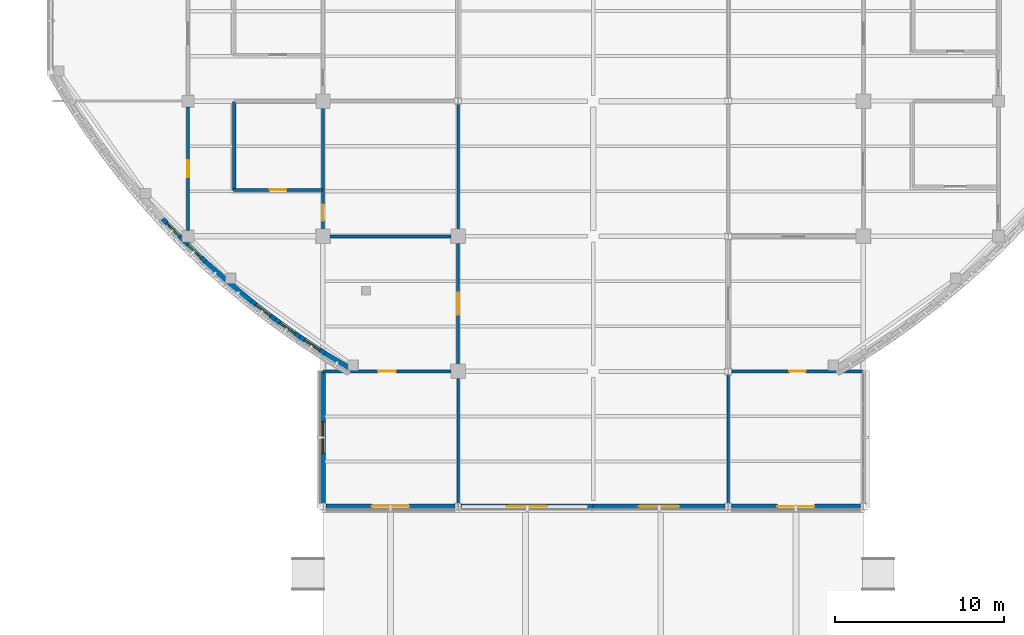
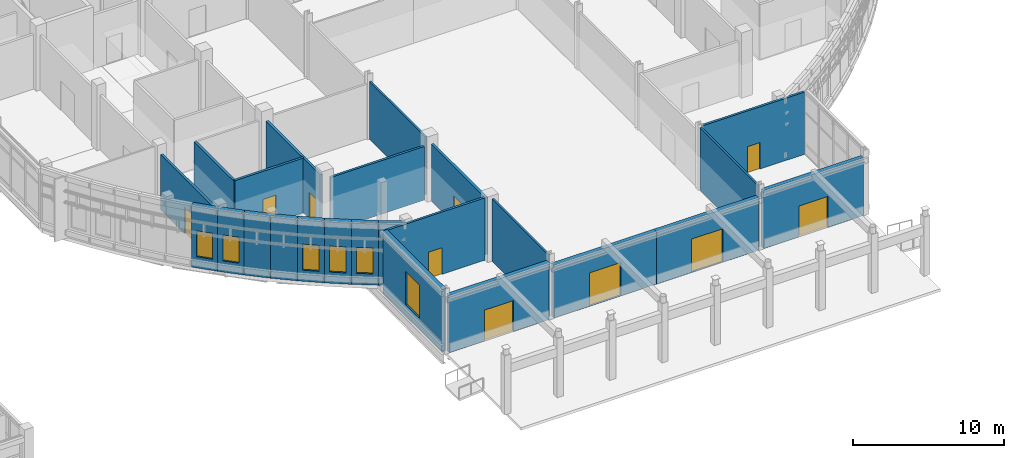
# One storey, part 63 of 105: 24 walls, 10 doors, 6 windows, 16 openings.
"""IFC4 building model written with IfcOpenShell, lengths in metres."""

from ifc_helpers import new_model, si_unit, derived_unit, direction, frame, frame_2d, origin, place, context, subcontext, project, spatial, rectangle, extrude, material, layer, layer_set, type_object, element, fill, save


model = new_model("IFC4")

# Units and contexts
model_context = context("Model", 3, precision=1e-05, world=origin(), true_north=direction((0.0, 1.0)))
body_context = subcontext(model_context, "Body", "Model", "MODEL_VIEW")
ifc_project = project(units=[si_unit("LENGTHUNIT", "METRE"), si_unit("AREAUNIT", "SQUARE_METRE"), si_unit("VOLUMEUNIT", "CUBIC_METRE"), si_unit("PLANEANGLEUNIT", "RADIAN"), si_unit("MASSUNIT", "GRAM", prefix="KILO"), derived_unit("THERMALTRANSMITTANCEUNIT", [(si_unit("MASSUNIT", "GRAM", prefix="KILO"), 1), (si_unit("TIMEUNIT", "SECOND"), -3), (si_unit("THERMODYNAMICTEMPERATUREUNIT", "KELVIN"), -1)])], contexts=[model_context])

# Site, building, storey
site_placement = place(None, origin())
site = spatial("IfcSite", under=ifc_project, at=site_placement, CompositionType="ELEMENT")
building_placement = place(site_placement, origin())
building = spatial("IfcBuilding", under=site, at=building_placement, Name="Veyamyaing Civic Hall", CompositionType="ELEMENT")
storey_placement = place(building_placement, origin())
storey = spatial("IfcBuildingStorey", under=building, at=storey_placement, Name="L00", CompositionType="ELEMENT", Elevation=0.0)

# Wall, opening, window
ifc_material_1 = material(Name="Precast concrete C40/50", Category="concrete")
ifc_layer_1 = layer(ifc_material_1, 0.304931640625, Name="Precast concrete C40/50")
ifc_layer_set_1 = layer_set([ifc_layer_1], Name="Precast concrete C40/50")
wall_type_1 = type_object("IfcWallType", Name="WT-03", PredefinedType="SOLIDWALL", material=ifc_layer_set_1)
wall_1_placement = place(storey_placement, frame((62.494384765625, 25.028564453125, 0.0), z_axis=(0.0, 0.0, 1.0), x_axis=(0.693722700342, -0.720242191926, 0.0)))
wall_1 = element("IfcWall", 1, at=wall_1_placement, inside=storey, type_object=wall_type_1, Name="Curved corner facade wall WT-03 L00 SW.7", PredefinedType="SOLIDWALL", context=body_context, shape_type="SweptSolid", body=[
    extrude(rectangle(XDim=1.795166015625, YDim=0.304931640625, at=frame_2d((0.8974609375, 0.0))), origin(), (0.0, 0.0, 1.0), 5.034912109375),
])
opening_1_placement = place(wall_1_placement, frame((0.347412109375, 0.0, 0.89990234375)))
opening_1 = element("IfcOpeningElement", 2, at=opening_1_placement, cuts=wall_1, Name="Opening W-15", PredefinedType="OPENING", context=body_context, shape_type="SweptSolid", body=[
    extrude(rectangle(XDim=1.10009765625, YDim=2.10009765625, at=frame_2d((0.550048828125, 1.050048828125))), frame((0.0, 0.162353515625, 0.0), z_axis=(0.0, -1.0, 0.0), x_axis=(1.0, 0.0, 0.0)), (0.0, 0.0, 1.0), 0.324951171875),
])
ifc_material_2 = material(Name="Low-E insulated glass", Category="glass")
window_type_1 = type_object("IfcWindowType", Name="W-15", PartitioningType="SINGLE_PANEL", PredefinedType="WINDOW", material=ifc_material_2)
window_1_placement = place(opening_1_placement, origin())
window_1 = element("IfcWindow", 3, at=window_1_placement, inside=storey, type_object=window_type_1, Name="Curved ribbon window W-15 L00 SW.7", OverallHeight=2.10009765625, OverallWidth=1.10009765625, PartitioningType="SINGLE_PANEL", PredefinedType="WINDOW", context=body_context, shape_type="SweptSolid", body=[
    extrude(rectangle(XDim=1.10009765625, YDim=2.10009765625, at=frame_2d((0.550048828125, 1.050048828125))), frame((0.0, 0.030029296875, 0.0), z_axis=(0.0, -1.0, 0.0), x_axis=(1.0, 0.0, 0.0)), (0.0, 0.0, 1.0), 0.06005859375),
])
fill(opening_1, window_1)

wall_2_placement = place(storey_placement, frame((63.735595703125, 23.73974609375, 0.0), z_axis=(0.0, 0.0, 1.0), x_axis=(0.720242191926, -0.693722700342, 0.0)))
wall_2 = element("IfcWall", 4, at=wall_2_placement, inside=storey, type_object=wall_type_1, Name="Curved corner facade wall WT-03 L00 SW.8", PredefinedType="SOLIDWALL", context=body_context, shape_type="SweptSolid", body=[
    extrude(rectangle(XDim=1.795166015625, YDim=0.304931640625, at=frame_2d((0.8974609375, 0.0))), origin(), (0.0, 0.0, 1.0), 5.034912109375),
])
opening_2_placement = place(wall_2_placement, frame((0.347412109375, 0.0, 0.89990234375)))
opening_2 = element("IfcOpeningElement", 5, at=opening_2_placement, cuts=wall_2, Name="Opening W-15", PredefinedType="OPENING", context=body_context, shape_type="SweptSolid", body=[
    extrude(rectangle(XDim=1.10009765625, YDim=2.10009765625, at=frame_2d((0.550048828125, 1.050048828125))), frame((0.0, 0.162353515625, 0.0), z_axis=(0.0, -1.0, 0.0), x_axis=(1.0, 0.0, 0.0)), (0.0, 0.0, 1.0), 0.324951171875),
])
window_2_placement = place(opening_2_placement, origin())
window_2 = element("IfcWindow", 6, at=window_2_placement, inside=storey, type_object=window_type_1, Name="Curved ribbon window W-15 L00 SW.8", OverallHeight=2.10009765625, OverallWidth=1.10009765625, PartitioningType="SINGLE_PANEL", PredefinedType="WINDOW", context=body_context, shape_type="SweptSolid", body=[
    extrude(rectangle(XDim=1.10009765625, YDim=2.10009765625, at=frame_2d((0.550048828125, 1.050048828125))), frame((0.0, 0.030029296875, 0.0), z_axis=(0.0, -1.0, 0.0), x_axis=(1.0, 0.0, 0.0)), (0.0, 0.0, 1.0), 0.06005859375),
])
fill(opening_2, window_2)

# Walls
wall_3_placement = place(storey_placement, frame((65.024169921875, 22.498291015625, 0.0), z_axis=(0.0, 0.0, 1.0), x_axis=(0.745703543965, -0.666277888361, 0.0)))
element("IfcWall", 7, at=wall_3_placement, inside=storey, type_object=wall_type_1, Name="Curved corner facade wall WT-03 L00 SW.9", PredefinedType="SOLIDWALL", context=body_context, shape_type="SweptSolid", body=[
    extrude(rectangle(XDim=1.795166015625, YDim=0.304931640625, at=frame_2d((0.8974609375, 0.0))), origin(), (0.0, 0.0, 1.0), 5.034912109375),
])
wall_4_placement = place(storey_placement, frame((66.3583984375, 21.305908203125, 0.0), z_axis=(0.0, 0.0, 1.0), x_axis=(0.769991012207, -0.638054732073, 0.0)))
element("IfcWall", 8, at=wall_4_placement, inside=storey, type_object=wall_type_1, Name="Curved corner facade wall WT-03 L00 SW.10", PredefinedType="SOLIDWALL", context=body_context, shape_type="SweptSolid", body=[
    extrude(rectangle(XDim=1.794921875, YDim=0.304931640625, at=frame_2d((0.8974609375, 0.0))), origin(), (0.0, 0.0, 1.0), 5.034912109375),
])

# Wall, opening, window
wall_5_placement = place(storey_placement, frame((67.736083984375, 20.164306640625, 0.0), z_axis=(0.0, 0.0, 1.0), x_axis=(0.793341406114, -0.608776981616, 0.0)))
wall_5 = element("IfcWall", 9, at=wall_5_placement, inside=storey, type_object=wall_type_1, Name="Curved corner facade wall WT-03 L00 SW.11", PredefinedType="SOLIDWALL", context=body_context, shape_type="SweptSolid", body=[
    extrude(rectangle(XDim=1.794921875, YDim=0.304931640625, at=frame_2d((0.8974609375, 0.0))), origin(), (0.0, 0.0, 1.0), 5.034912109375),
])
opening_3_placement = place(wall_5_placement, frame((0.347412109375, 0.0, 0.89990234375)))
opening_3 = element("IfcOpeningElement", 10, at=opening_3_placement, cuts=wall_5, Name="Opening W-15", PredefinedType="OPENING", context=body_context, shape_type="SweptSolid", body=[
    extrude(rectangle(XDim=1.10009765625, YDim=2.10009765625, at=frame_2d((0.550048828125, 1.050048828125))), frame((0.0, 0.162353515625, 0.0), z_axis=(0.0, -1.0, 0.0), x_axis=(1.0, 0.0, 0.0)), (0.0, 0.0, 1.0), 0.324951171875),
])
window_3_placement = place(opening_3_placement, origin())
window_3 = element("IfcWindow", 11, at=window_3_placement, inside=storey, type_object=window_type_1, Name="Curved ribbon window W-15 L00 SW.11", OverallHeight=2.10009765625, OverallWidth=1.10009765625, PartitioningType="SINGLE_PANEL", PredefinedType="WINDOW", context=body_context, shape_type="SweptSolid", body=[
    extrude(rectangle(XDim=1.10009765625, YDim=2.10009765625, at=frame_2d((0.550048828125, 1.050048828125))), frame((0.0, 0.030029296875, 0.0), z_axis=(0.0, -1.0, 0.0), x_axis=(1.0, 0.0, 0.0)), (0.0, 0.0, 1.0), 0.06005859375),
])
fill(opening_3, window_3)

wall_6_placement = place(storey_placement, frame((69.155517578125, 19.074951171875, 0.0), z_axis=(0.0, 0.0, 1.0), x_axis=(0.815567185578, -0.578662393636, 0.0)))
wall_6 = element("IfcWall", 12, at=wall_6_placement, inside=storey, type_object=wall_type_1, Name="Curved corner facade wall WT-03 L00 SW.12", PredefinedType="SOLIDWALL", context=body_context, shape_type="SweptSolid", body=[
    extrude(rectangle(XDim=1.795166015625, YDim=0.304931640625, at=frame_2d((0.8974609375, 0.0))), origin(), (0.0, 0.0, 1.0), 5.034912109375),
])
opening_4_placement = place(wall_6_placement, frame((0.34765625, 0.0, 0.89990234375)))
opening_4 = element("IfcOpeningElement", 13, at=opening_4_placement, cuts=wall_6, Name="Opening W-15", PredefinedType="OPENING", context=body_context, shape_type="SweptSolid", body=[
    extrude(rectangle(XDim=1.10009765625, YDim=2.10009765625, at=frame_2d((0.550048828125, 1.050048828125))), frame((0.0, 0.162353515625, 0.0), z_axis=(0.0, -1.0, 0.0), x_axis=(1.0, 0.0, 0.0)), (0.0, 0.0, 1.0), 0.324951171875),
])
window_4_placement = place(opening_4_placement, origin())
window_4 = element("IfcWindow", 14, at=window_4_placement, inside=storey, type_object=window_type_1, Name="Curved ribbon window W-15 L00 SW.12", OverallHeight=2.10009765625, OverallWidth=1.10009765625, PartitioningType="SINGLE_PANEL", PredefinedType="WINDOW", context=body_context, shape_type="SweptSolid", body=[
    extrude(rectangle(XDim=1.10009765625, YDim=2.10009765625, at=frame_2d((0.550048828125, 1.050048828125))), frame((0.0, 0.030029296875, 0.0), z_axis=(0.0, -1.0, 0.0), x_axis=(1.0, 0.0, 0.0)), (0.0, 0.0, 1.0), 0.06005859375),
])
fill(opening_4, window_4)

wall_7_placement = place(storey_placement, frame((70.61474609375, 18.039306640625, 0.0), z_axis=(0.0, 0.0, 1.0), x_axis=(0.836686786408, -0.547681678944, 0.0)))
wall_7 = element("IfcWall", 15, at=wall_7_placement, inside=storey, type_object=wall_type_1, Name="Curved corner facade wall WT-03 L00 SW.13", PredefinedType="SOLIDWALL", context=body_context, shape_type="SweptSolid", body=[
    extrude(rectangle(XDim=1.795166015625, YDim=0.304931640625, at=frame_2d((0.8974609375, 0.0))), origin(), (0.0, 0.0, 1.0), 5.034912109375),
])
opening_5_placement = place(wall_7_placement, frame((0.347412109375, 0.0, 0.89990234375)))
opening_5 = element("IfcOpeningElement", 16, at=opening_5_placement, cuts=wall_7, Name="Opening W-15", PredefinedType="OPENING", context=body_context, shape_type="SweptSolid", body=[
    extrude(rectangle(XDim=1.10009765625, YDim=2.10009765625, at=frame_2d((0.550048828125, 1.050048828125))), frame((0.0, 0.162353515625, 0.0), z_axis=(0.0, -1.0, 0.0), x_axis=(1.0, 0.0, 0.0)), (0.0, 0.0, 1.0), 0.324951171875),
])
window_5_placement = place(opening_5_placement, origin())
window_5 = element("IfcWindow", 17, at=window_5_placement, inside=storey, type_object=window_type_1, Name="Curved ribbon window W-15 L00 SW.13", OverallHeight=2.10009765625, OverallWidth=1.10009765625, PartitioningType="SINGLE_PANEL", PredefinedType="WINDOW", context=body_context, shape_type="SweptSolid", body=[
    extrude(rectangle(XDim=1.10009765625, YDim=2.10009765625, at=frame_2d((0.550048828125, 1.050048828125))), frame((0.0, 0.030029296875, 0.0), z_axis=(0.0, -1.0, 0.0), x_axis=(1.0, 0.0, 0.0)), (0.0, 0.0, 1.0), 0.06005859375),
])
fill(opening_5, window_5)

# Wall
wall_8_placement = place(storey_placement, frame((72.11181640625, 17.05908203125, 0.0), z_axis=(0.0, 0.0, 1.0), x_axis=(0.856543302071, -0.51607516088, 0.0)))
element("IfcWall", 18, at=wall_8_placement, inside=storey, type_object=wall_type_1, Name="Curved corner facade wall WT-03 L00 SW.14", PredefinedType="SOLIDWALL", context=body_context, shape_type="SweptSolid", body=[
    extrude(rectangle(XDim=1.794921875, YDim=0.304931640625, at=frame_2d((0.8974609375, 0.0))), origin(), (0.0, 0.0, 1.0), 5.034912109375),
])

# Wall, opening, door
wall_9_placement = place(storey_placement, frame((72.18408203125, 8.0, 0.0), z_axis=(0.0, 0.0, 1.0), x_axis=(1.0, 0.0, 0.0)))
wall_9 = element("IfcWall", 19, at=wall_9_placement, inside=storey, type_object=wall_type_1, Name="Exterior facade wall WT-03 L00 S 10.2", PredefinedType="SOLIDWALL", context=body_context, shape_type="SweptSolid", body=[
    extrude(rectangle(XDim=7.6318359375, YDim=0.304931640625, at=frame_2d((3.81591796875, 0.0))), origin(), (0.0, 0.0, 1.0), 4.618896484375),
])
opening_6_placement = place(wall_9_placement, frame((2.716064453125, 0.0, 0.0)))
opening_6 = element("IfcOpeningElement", 20, at=opening_6_placement, cuts=wall_9, Name="Opening D-01", PredefinedType="OPENING", context=body_context, shape_type="SweptSolid", body=[
    extrude(rectangle(XDim=2.199951171875, YDim=2.5, at=frame_2d((1.10009765625, 1.25))), frame((0.0, 0.162353515625, 0.0), z_axis=(0.0, -1.0, 0.0), x_axis=(1.0, 0.0, 0.0)), (0.0, 0.0, 1.0), 0.324951171875),
])
ifc_material_3 = material(Name="Anodised aluminium 6063-T6", Category="aluminium")
door_type_1 = type_object("IfcDoorType", Name="D-01", OperationType="DOUBLE_DOOR_SINGLE_SWING", PredefinedType="DOOR", material=ifc_material_3)
door_1_placement = place(opening_6_placement, frame((2.199951171875, 0.0, 0.0), z_axis=(0.0, 0.0, 1.0), x_axis=(-1.0, 0.0, 0.0)))
door_1 = element("IfcDoor", 21, at=door_1_placement, inside=storey, type_object=door_type_1, Name="Main pedestrian final exit EX-08", OperationType="DOUBLE_DOOR_SINGLE_SWING", OverallHeight=2.5, OverallWidth=2.199951171875, PredefinedType="DOOR", context=body_context, shape_type="SweptSolid", body=[
    extrude(rectangle(XDim=2.199951171875, YDim=2.5, at=frame_2d((1.10009765625, 1.25))), frame((0.0, 0.02490234375, 0.0), z_axis=(0.0, -1.0, 0.0), x_axis=(1.0, 0.0, 0.0)), (0.0, 0.0, 1.0), 0.050048828125),
])
fill(opening_6, door_1)

# Wall, opening, window
wall_10_placement = place(storey_placement, frame((72.0, 8.178466796875, 0.0), z_axis=(0.0, 0.0, 1.0), x_axis=(0.0, 1.0, 0.0)))
wall_10 = element("IfcWall", 22, at=wall_10_placement, inside=storey, type_object=wall_type_1, Name="Exterior facade wall WT-03 L00 W 10.2", PredefinedType="SOLIDWALL", context=body_context, shape_type="SweptSolid", body=[
    extrude(rectangle(XDim=7.821533203125, YDim=0.304931640625, at=frame_2d((3.91064453125, 0.0))), origin(), (0.0, 0.0, 1.0), 5.034912109375),
])
opening_7_placement = place(wall_10_placement, frame((2.98583984375, 0.0, 0.89990234375)))
opening_7 = element("IfcOpeningElement", 23, at=opening_7_placement, cuts=wall_10, Name="Opening W-03", PredefinedType="OPENING", context=body_context, shape_type="SweptSolid", body=[
    extrude(rectangle(XDim=1.85009765625, YDim=2.64990234375, at=frame_2d((0.925048828125, 1.324951171875))), frame((0.0, 0.162353515625, 0.0), z_axis=(0.0, -1.0, 0.0), x_axis=(1.0, 0.0, 0.0)), (0.0, 0.0, 1.0), 0.324951171875),
])
window_type_2 = type_object("IfcWindowType", Name="W-03", PartitioningType="SINGLE_PANEL", PredefinedType="WINDOW", material=ifc_material_2)
window_6_placement = place(opening_7_placement, origin())
window_6 = element("IfcWindow", 24, at=window_6_placement, inside=storey, type_object=window_type_2, Name="Facade window W-03 L00 W 10.2", OverallHeight=2.64990234375, OverallWidth=1.85009765625, PartitioningType="SINGLE_PANEL", PredefinedType="WINDOW", context=body_context, shape_type="SweptSolid", body=[
    extrude(rectangle(XDim=1.85009765625, YDim=2.64990234375, at=frame_2d((0.925048828125, 1.324951171875))), frame((0.0, 0.030029296875, 0.0), z_axis=(0.0, -1.0, 0.0), x_axis=(1.0, 0.0, 0.0)), (0.0, 0.0, 1.0), 0.06005859375),
])
fill(opening_7, window_6)

# Wall, opening, door
wall_11_placement = place(storey_placement, frame((80.18408203125, 8.0, 0.0), z_axis=(0.0, 0.0, 1.0), x_axis=(1.0, 0.0, 0.0)))
wall_11 = element("IfcWall", 25, at=wall_11_placement, inside=storey, type_object=wall_type_1, Name="Exterior facade wall WT-03 L00 S 11.2", PredefinedType="SOLIDWALL", context=body_context, shape_type="SweptSolid", body=[
    extrude(rectangle(XDim=7.81591796875, YDim=0.304931640625, at=frame_2d((3.907958984375, 0.0))), origin(), (0.0, 0.0, 1.0), 4.27392578125),
])
opening_8_placement = place(wall_11_placement, frame((2.7080078125, 0.0, 0.0)))
opening_8 = element("IfcOpeningElement", 26, at=opening_8_placement, cuts=wall_11, Name="Opening D-02", PredefinedType="OPENING", context=body_context, shape_type="SweptSolid", body=[
    extrude(rectangle(XDim=2.39990234375, YDim=2.699951171875, at=frame_2d((1.199951171875, 1.35009765625))), frame((0.0, 0.162353515625, 0.0), z_axis=(0.0, -1.0, 0.0), x_axis=(1.0, 0.0, 0.0)), (0.0, 0.0, 1.0), 0.324951171875),
])
door_type_2 = type_object("IfcDoorType", Name="D-02", OperationType="DOUBLE_DOOR_SINGLE_SWING", PredefinedType="DOOR", material=ifc_material_3)
door_2_placement = place(opening_8_placement, frame((2.39990234375, 0.0, 0.0), z_axis=(0.0, 0.0, 1.0), x_axis=(-1.0, 0.0, 0.0)))
door_2 = element("IfcDoor", 27, at=door_2_placement, inside=storey, type_object=door_type_2, Name="Main pedestrian final exit EX-09", OperationType="DOUBLE_DOOR_SINGLE_SWING", OverallHeight=2.699951171875, OverallWidth=2.39990234375, PredefinedType="DOOR", context=body_context, shape_type="SweptSolid", body=[
    extrude(rectangle(XDim=2.39990234375, YDim=2.699951171875, at=frame_2d((1.199951171875, 1.35009765625))), frame((0.0, 0.02490234375, 0.0), z_axis=(0.0, -1.0, 0.0), x_axis=(1.0, 0.0, 0.0)), (0.0, 0.0, 1.0), 0.050048828125),
])
fill(opening_8, door_2)

wall_12_placement = place(storey_placement, frame((88.0, 8.0, 0.0), z_axis=(0.0, 0.0, 1.0), x_axis=(1.0, 0.0, 0.0)))
wall_12 = element("IfcWall", 28, at=wall_12_placement, inside=storey, type_object=wall_type_1, Name="Exterior facade wall WT-03 L00 S 12.2", PredefinedType="SOLIDWALL", context=body_context, shape_type="SweptSolid", body=[
    extrude(rectangle(XDim=7.81591796875, YDim=0.304931640625, at=frame_2d((3.907958984375, 0.0))), origin(), (0.0, 0.0, 1.0), 4.27392578125),
])
opening_9_placement = place(wall_12_placement, frame((2.7080078125, 0.0, 0.0)))
opening_9 = element("IfcOpeningElement", 29, at=opening_9_placement, cuts=wall_12, Name="Opening D-02", PredefinedType="OPENING", context=body_context, shape_type="SweptSolid", body=[
    extrude(rectangle(XDim=2.39990234375, YDim=2.699951171875, at=frame_2d((1.199951171875, 1.35009765625))), frame((0.0, 0.162353515625, 0.0), z_axis=(0.0, -1.0, 0.0), x_axis=(1.0, 0.0, 0.0)), (0.0, 0.0, 1.0), 0.324951171875),
])
door_3_placement = place(opening_9_placement, frame((2.39990234375, 0.0, 0.0), z_axis=(0.0, 0.0, 1.0), x_axis=(-1.0, 0.0, 0.0)))
door_3 = element("IfcDoor", 30, at=door_3_placement, inside=storey, type_object=door_type_2, Name="Main pedestrian final exit EX-10", OperationType="DOUBLE_DOOR_SINGLE_SWING", OverallHeight=2.699951171875, OverallWidth=2.39990234375, PredefinedType="DOOR", context=body_context, shape_type="SweptSolid", body=[
    extrude(rectangle(XDim=2.39990234375, YDim=2.699951171875, at=frame_2d((1.199951171875, 1.35009765625))), frame((0.0, 0.02490234375, 0.0), z_axis=(0.0, -1.0, 0.0), x_axis=(1.0, 0.0, 0.0)), (0.0, 0.0, 1.0), 0.050048828125),
])
fill(opening_9, door_3)

wall_13_placement = place(storey_placement, frame((96.18408203125, 8.0, 0.0), z_axis=(0.0, 0.0, 1.0), x_axis=(1.0, 0.0, 0.0)))
wall_13 = element("IfcWall", 31, at=wall_13_placement, inside=storey, type_object=wall_type_1, Name="Exterior facade wall WT-03 L00 S 13.2", PredefinedType="SOLIDWALL", context=body_context, shape_type="SweptSolid", body=[
    extrude(rectangle(XDim=7.6318359375, YDim=0.304931640625, at=frame_2d((3.81591796875, 0.0))), origin(), (0.0, 0.0, 1.0), 4.678955078125),
])
opening_10_placement = place(wall_13_placement, frame((2.716064453125, 0.0, 0.0)))
opening_10 = element("IfcOpeningElement", 32, at=opening_10_placement, cuts=wall_13, Name="Opening D-01", PredefinedType="OPENING", context=body_context, shape_type="SweptSolid", body=[
    extrude(rectangle(XDim=2.199951171875, YDim=2.5, at=frame_2d((1.10009765625, 1.25))), frame((0.0, 0.162353515625, 0.0), z_axis=(0.0, -1.0, 0.0), x_axis=(1.0, 0.0, 0.0)), (0.0, 0.0, 1.0), 0.324951171875),
])
door_4_placement = place(opening_10_placement, frame((2.199951171875, 0.0, 0.0), z_axis=(0.0, 0.0, 1.0), x_axis=(-1.0, 0.0, 0.0)))
door_4 = element("IfcDoor", 33, at=door_4_placement, inside=storey, type_object=door_type_1, Name="Main pedestrian final exit EX-11", OperationType="DOUBLE_DOOR_SINGLE_SWING", OverallHeight=2.5, OverallWidth=2.199951171875, PredefinedType="DOOR", context=body_context, shape_type="SweptSolid", body=[
    extrude(rectangle(XDim=2.199951171875, YDim=2.5, at=frame_2d((1.10009765625, 1.25))), frame((0.0, 0.02490234375, 0.0), z_axis=(0.0, -1.0, 0.0), x_axis=(1.0, 0.0, 0.0)), (0.0, 0.0, 1.0), 0.050048828125),
])
fill(opening_10, door_4)

ifc_material_4 = material(Name="Gypsum board on acoustic steel stud", Category="steel")
ifc_layer_2 = layer(ifc_material_4, 0.175048828125, Name="Gypsum board on acoustic steel stud")
ifc_layer_set_2 = layer_set([ifc_layer_2], Name="Gypsum board on acoustic steel stud")
wall_type_2 = type_object("IfcWallType", Name="WT-07", PredefinedType="PARTITIONING", material=ifc_layer_set_2)
wall_14_placement = place(storey_placement, frame((72.0, 16.0, 0.0), z_axis=(0.0, 0.0, 1.0), x_axis=(1.0, 0.0, 0.0)))
wall_14 = element("IfcWall", 34, at=wall_14_placement, inside=storey, type_object=wall_type_2, Name="Interior partition wall WT-07 L00.59", PredefinedType="PARTITIONING", context=body_context, shape_type="SweptSolid", body=[
    extrude(rectangle(XDim=7.5849609375, YDim=0.175048828125, at=frame_2d((3.79248046875, 0.0))), origin(), (0.0, 0.0, 1.0), 5.02490234375),
])
opening_11_placement = place(wall_14_placement, frame((3.267578125, 0.0, 0.0)))
opening_11 = element("IfcOpeningElement", 35, at=opening_11_placement, cuts=wall_14, Name="Opening D-12", PredefinedType="OPENING", context=body_context, shape_type="SweptSolid", body=[
    extrude(rectangle(XDim=1.050048828125, YDim=2.14990234375, at=frame_2d((0.52490234375, 1.074951171875))), frame((0.0, 0.097412109375, 0.0), z_axis=(0.0, -1.0, 0.0), x_axis=(1.0, 0.0, 0.0)), (0.0, 0.0, 1.0), 0.195068359375),
])
ifc_material_5 = material(Name="Teak-veneered acoustic timber", Category="wood")
door_type_3 = type_object("IfcDoorType", Name="D-12", OperationType="NOTDEFINED", PredefinedType="DOOR", material=ifc_material_5)
door_5_placement = place(opening_11_placement, frame((1.050048828125, 0.0, 0.0), z_axis=(0.0, 0.0, 1.0), x_axis=(-1.0, 0.0, 0.0)))
door_5 = element("IfcDoor", 36, at=door_5_placement, inside=storey, type_object=door_type_3, Name="Interior door D-12 L00.59", OperationType="SINGLE_SWING_RIGHT", OverallHeight=2.14990234375, OverallWidth=1.050048828125, PredefinedType="DOOR", context=body_context, shape_type="SweptSolid", body=[
    extrude(rectangle(XDim=1.050048828125, YDim=2.14990234375, at=frame_2d((0.52490234375, 1.074951171875))), frame((0.0, 0.02490234375, 0.0), z_axis=(0.0, -1.0, 0.0), x_axis=(1.0, 0.0, 0.0)), (0.0, 0.0, 1.0), 0.050048828125),
])
fill(opening_11, door_5)

# Wall
wall_15_placement = place(storey_placement, frame((72.4150390625, 24.0, 0.0), z_axis=(0.0, 0.0, 1.0), x_axis=(1.0, 0.0, 0.0)))
element("IfcWall", 37, at=wall_15_placement, inside=storey, type_object=wall_type_2, Name="Interior partition wall WT-07 L00.61", PredefinedType="PARTITIONING", context=body_context, shape_type="SweptSolid", body=[
    extrude(rectangle(XDim=7.169921875, YDim=0.175048828125, at=frame_2d((3.5849609375, 0.0))), origin(), (0.0, 0.0, 1.0), 4.326904296875),
])

# Wall, opening, door
wall_16_placement = place(storey_placement, frame((96.18896484375, 16.0, 0.0), z_axis=(0.0, 0.0, 1.0), x_axis=(1.0, 0.0, 0.0)))
wall_16 = element("IfcWall", 38, at=wall_16_placement, inside=storey, type_object=wall_type_2, Name="Interior partition wall WT-07 L00.95", PredefinedType="PARTITIONING", context=body_context, shape_type="SweptSolid", body=[
    extrude(rectangle(XDim=7.81103515625, YDim=0.175048828125, at=frame_2d((3.905517578125, 0.0))), origin(), (0.0, 0.0, 1.0), 5.02490234375),
])
opening_12_placement = place(wall_16_placement, frame((3.425537109375, 0.0, 0.0)))
opening_12 = element("IfcOpeningElement", 39, at=opening_12_placement, cuts=wall_16, Name="Opening D-25", PredefinedType="OPENING", context=body_context, shape_type="SweptSolid", body=[
    extrude(rectangle(XDim=0.9599609375, YDim=2.139892578125, at=frame_2d((0.47998046875, 1.06982421875))), frame((0.0, 0.097412109375, 0.0), z_axis=(0.0, -1.0, 0.0), x_axis=(1.0, 0.0, 0.0)), (0.0, 0.0, 1.0), 0.195068359375),
])
door_type_4 = type_object("IfcDoorType", Name="D-25", OperationType="NOTDEFINED", PredefinedType="DOOR", material=ifc_material_5)
door_6_placement = place(opening_12_placement, frame((0.9599609375, 0.0, 0.0), z_axis=(0.0, 0.0, 1.0), x_axis=(-1.0, 0.0, 0.0)))
door_6 = element("IfcDoor", 40, at=door_6_placement, inside=storey, type_object=door_type_4, Name="Interior door D-25 L00.95", OperationType="SINGLE_SWING_LEFT", OverallHeight=2.139892578125, OverallWidth=0.9599609375, PredefinedType="DOOR", context=body_context, shape_type="SweptSolid", body=[
    extrude(rectangle(XDim=0.9599609375, YDim=2.139892578125, at=frame_2d((0.47998046875, 1.06982421875))), frame((0.0, 0.02490234375, 0.0), z_axis=(0.0, -1.0, 0.0), x_axis=(1.0, 0.0, 0.0)), (0.0, 0.0, 1.0), 0.050048828125),
])
fill(opening_12, door_6)

ifc_material_6 = material(Name="Gypsum board on double acoustic stud")
ifc_layer_3 = layer(ifc_material_6, 0.18505859375, Name="Gypsum board on double acoustic stud")
ifc_layer_set_3 = layer_set([ifc_layer_3], Name="Gypsum board on double acoustic stud")
wall_type_3 = type_object("IfcWallType", Name="WT-19", PredefinedType="PARTITIONING", material=ifc_layer_set_3)
wall_17_placement = place(storey_placement, frame((66.699951171875, 26.75, 0.0), z_axis=(0.0, 0.0, 1.0), x_axis=(1.0, 0.0, 0.0)))
wall_17 = element("IfcWall", 41, at=wall_17_placement, inside=storey, type_object=wall_type_3, Name="Corridor gallery partition WT-19 L00.30.1", PredefinedType="PARTITIONING", context=body_context, shape_type="SweptSolid", body=[
    extrude(rectangle(XDim=5.280029296875, YDim=0.18505859375, at=frame_2d((2.64013671875, 0.0))), origin(), (0.0, 0.0, 1.0), 4.403076171875),
])
opening_13_placement = place(wall_17_placement, frame((2.139892578125, 0.0, 0.0)))
opening_13 = element("IfcOpeningElement", 42, at=opening_13_placement, cuts=wall_17, Name="Opening D-13", PredefinedType="OPENING", context=body_context, shape_type="SweptSolid", body=[
    extrude(rectangle(XDim=1.0, YDim=2.14990234375, at=frame_2d((0.5, 1.074951171875))), frame((0.0, 0.1025390625, 0.0), z_axis=(0.0, -1.0, 0.0), x_axis=(1.0, 0.0, 0.0)), (0.0, 0.0, 1.0), 0.205078125),
])
door_type_5 = type_object("IfcDoorType", Name="D-13", OperationType="NOTDEFINED", PredefinedType="DOOR", material=ifc_material_5)
door_7_placement = place(opening_13_placement, origin())
door_7 = element("IfcDoor", 43, at=door_7_placement, inside=storey, type_object=door_type_5, Name="Gallery office door D-13 L00.30", OperationType="SINGLE_SWING_LEFT", OverallHeight=2.14990234375, OverallWidth=1.0, PredefinedType="DOOR", context=body_context, shape_type="SweptSolid", body=[
    extrude(rectangle(XDim=1.0, YDim=2.14990234375, at=frame_2d((0.5, 1.074951171875))), frame((0.0, 0.02490234375, 0.0), z_axis=(0.0, -1.0, 0.0), x_axis=(1.0, 0.0, 0.0)), (0.0, 0.0, 1.0), 0.050048828125),
])
fill(opening_13, door_7)

# Wall
wall_18_placement = place(storey_placement, frame((66.75, 26.699951171875, 0.0), z_axis=(0.0, 0.0, 1.0), x_axis=(0.0, 1.0, 0.0)))
element("IfcWall", 44, at=wall_18_placement, inside=storey, type_object=wall_type_3, Name="Corridor gallery partition WT-19 L00.30.2", PredefinedType="PARTITIONING", context=body_context, shape_type="SweptSolid", body=[
    extrude(rectangle(XDim=5.280029296875, YDim=0.18505859375, at=frame_2d((2.64013671875, 0.0))), origin(), (0.0, 0.0, 1.0), 4.326904296875),
])

# Wall, opening, door
wall_19_placement = place(storey_placement, frame((64.0, 24.340087890625, 0.0), z_axis=(0.0, 0.0, 1.0), x_axis=(0.0, 1.0, 0.0)))
wall_19 = element("IfcWall", 45, at=wall_19_placement, inside=storey, type_object=wall_type_3, Name="Interior partition wall WT-19 L00.40", PredefinedType="PARTITIONING", context=body_context, shape_type="SweptSolid", body=[
    extrude(rectangle(XDim=7.31982421875, YDim=0.18505859375, at=frame_2d((3.659912109375, 0.0))), origin(), (0.0, 0.0, 1.0), 4.470947265625),
])
opening_14_placement = place(wall_19_placement, frame((3.159912109375, 0.0, 0.0)))
opening_14 = element("IfcOpeningElement", 46, at=opening_14_placement, cuts=wall_19, Name="Opening D-13", PredefinedType="OPENING", context=body_context, shape_type="SweptSolid", body=[
    extrude(rectangle(XDim=1.0, YDim=2.14990234375, at=frame_2d((0.5, 1.074951171875))), frame((0.0, 0.1025390625, 0.0), z_axis=(0.0, -1.0, 0.0), x_axis=(1.0, 0.0, 0.0)), (0.0, 0.0, 1.0), 0.205078125),
])
door_8_placement = place(opening_14_placement, origin())
door_8 = element("IfcDoor", 47, at=door_8_placement, inside=storey, type_object=door_type_5, Name="Interior door D-13 L00.40", OperationType="SINGLE_SWING_RIGHT", OverallHeight=2.14990234375, OverallWidth=1.0, PredefinedType="DOOR", context=body_context, shape_type="SweptSolid", body=[
    extrude(rectangle(XDim=1.0, YDim=2.14990234375, at=frame_2d((0.5, 1.074951171875))), frame((0.0, 0.02490234375, 0.0), z_axis=(0.0, -1.0, 0.0), x_axis=(1.0, 0.0, 0.0)), (0.0, 0.0, 1.0), 0.050048828125),
])
fill(opening_14, door_8)

wall_20_placement = place(storey_placement, frame((72.0, 24.4150390625, 0.0), z_axis=(0.0, 0.0, 1.0), x_axis=(0.0, 1.0, 0.0)))
wall_20 = element("IfcWall", 48, at=wall_20_placement, inside=storey, type_object=wall_type_3, Name="Interior partition wall WT-19 L00.50", PredefinedType="PARTITIONING", context=body_context, shape_type="SweptSolid", body=[
    extrude(rectangle(XDim=7.169921875, YDim=0.18505859375, at=frame_2d((3.5849609375, 0.0))), origin(), (0.0, 0.0, 1.0), 4.403076171875),
])
opening_15_placement = place(wall_20_placement, frame((0.52001953125, 0.0, 0.0)))
opening_15 = element("IfcOpeningElement", 49, at=opening_15_placement, cuts=wall_20, Name="Opening D-30", PredefinedType="OPENING", context=body_context, shape_type="SweptSolid", body=[
    extrude(rectangle(XDim=0.93994140625, YDim=2.1201171875, at=frame_2d((0.469970703125, 1.06005859375))), frame((0.0, 0.1025390625, 0.0), z_axis=(0.0, -1.0, 0.0), x_axis=(1.0, 0.0, 0.0)), (0.0, 0.0, 1.0), 0.205078125),
])
door_type_6 = type_object("IfcDoorType", Name="D-30", OperationType="NOTDEFINED", PredefinedType="DOOR", material=ifc_material_5)
door_9_placement = place(opening_15_placement, frame((0.93994140625, 0.0, 0.0), z_axis=(0.0, 0.0, 1.0), x_axis=(-1.0, 0.0, 0.0)))
door_9 = element("IfcDoor", 50, at=door_9_placement, inside=storey, type_object=door_type_6, Name="Interior door D-30 L00.50", OperationType="SINGLE_SWING_RIGHT", OverallHeight=2.1201171875, OverallWidth=0.93994140625, PredefinedType="DOOR", context=body_context, shape_type="SweptSolid", body=[
    extrude(rectangle(XDim=0.93994140625, YDim=2.1201171875, at=frame_2d((0.469970703125, 1.06005859375))), frame((0.0, 0.02490234375, 0.0), z_axis=(0.0, -1.0, 0.0), x_axis=(1.0, 0.0, 0.0)), (0.0, 0.0, 1.0), 0.050048828125),
])
fill(opening_15, door_9)

wall_21_placement = place(storey_placement, frame((80.0, 16.4150390625, 0.0), z_axis=(0.0, 0.0, 1.0), x_axis=(0.0, 1.0, 0.0)))
wall_21 = element("IfcWall", 51, at=wall_21_placement, inside=storey, type_object=wall_type_3, Name="Interior partition wall WT-19 L00.60", PredefinedType="PARTITIONING", context=body_context, shape_type="SweptSolid", body=[
    extrude(rectangle(XDim=7.169921875, YDim=0.18505859375, at=frame_2d((3.5849609375, 0.0))), origin(), (0.0, 0.0, 1.0), 4.60302734375),
])
opening_16_placement = place(wall_21_placement, frame((2.93505859375, 0.0, 0.0)))
opening_16 = element("IfcOpeningElement", 52, at=opening_16_placement, cuts=wall_21, Name="Opening D-18", PredefinedType="OPENING", context=body_context, shape_type="SweptSolid", body=[
    extrude(rectangle(XDim=1.300048828125, YDim=2.199951171875, at=frame_2d((0.64990234375, 1.10009765625))), frame((0.0, 0.1025390625, 0.0), z_axis=(0.0, -1.0, 0.0), x_axis=(1.0, 0.0, 0.0)), (0.0, 0.0, 1.0), 0.205078125),
])
door_type_7 = type_object("IfcDoorType", Name="D-18", OperationType="DOUBLE_DOOR_SINGLE_SWING", PredefinedType="DOOR", material=ifc_material_3)
door_10_placement = place(opening_16_placement, frame((1.300048828125, 0.0, 0.0), z_axis=(0.0, 0.0, 1.0), x_axis=(-1.0, 0.0, 0.0)))
door_10 = element("IfcDoor", 53, at=door_10_placement, inside=storey, type_object=door_type_7, Name="Interior door D-18 L00.60", OperationType="DOUBLE_DOOR_SINGLE_SWING", OverallHeight=2.199951171875, OverallWidth=1.300048828125, PredefinedType="DOOR", context=body_context, shape_type="SweptSolid", body=[
    extrude(rectangle(XDim=1.300048828125, YDim=2.199951171875, at=frame_2d((0.64990234375, 1.10009765625))), frame((0.0, 0.02490234375, 0.0), z_axis=(0.0, -1.0, 0.0), x_axis=(1.0, 0.0, 0.0)), (0.0, 0.0, 1.0), 0.050048828125),
])
fill(opening_16, door_10)

# Walls
ifc_material_7 = material(Name="Gypsum board on steel stud", Category="steel")
ifc_layer_4 = layer(ifc_material_7, 0.14208984375, Name="Gypsum board on steel stud")
ifc_layer_set_4 = layer_set([ifc_layer_4], Name="Gypsum board on steel stud")
wall_type_4 = type_object("IfcWallType", Name="WT-20", PredefinedType="PARTITIONING", material=ifc_layer_set_4)
wall_22_placement = place(storey_placement, frame((80.0, 8.18359375, 0.0), z_axis=(0.0, 0.0, 1.0), x_axis=(0.0, 1.0, 0.0)))
element("IfcWall", 54, at=wall_22_placement, inside=storey, type_object=wall_type_4, Name="Interior partition wall WT-20 L00.58", PredefinedType="PARTITIONING", context=body_context, shape_type="SweptSolid", body=[
    extrude(rectangle(XDim=7.4013671875, YDim=0.14208984375, at=frame_2d((3.70068359375, 0.0))), origin(), (0.0, 0.0, 1.0), 5.02490234375),
])
wall_23_placement = place(storey_placement, frame((80.0, 24.4150390625, 0.0), z_axis=(0.0, 0.0, 1.0), x_axis=(0.0, 1.0, 0.0)))
element("IfcWall", 55, at=wall_23_placement, inside=storey, type_object=wall_type_4, Name="Interior partition wall WT-20 L00.62", PredefinedType="PARTITIONING", context=body_context, shape_type="SweptSolid", body=[
    extrude(rectangle(XDim=7.4013671875, YDim=0.14208984375, at=frame_2d((3.70068359375, 0.0))), origin(), (0.0, 0.0, 1.0), 4.6669921875),
])
wall_24_placement = place(storey_placement, frame((96.0, 8.18359375, 0.0), z_axis=(0.0, 0.0, 1.0), x_axis=(0.0, 1.0, 0.0)))
element("IfcWall", 56, at=wall_24_placement, inside=storey, type_object=wall_type_4, Name="Interior partition wall WT-20 L00.82", PredefinedType="PARTITIONING", context=body_context, shape_type="SweptSolid", body=[
    extrude(rectangle(XDim=7.6328125, YDim=0.14208984375, at=frame_2d((3.81640625, 0.0))), origin(), (0.0, 0.0, 1.0), 5.02490234375),
])

save(model, "model.ifc")
